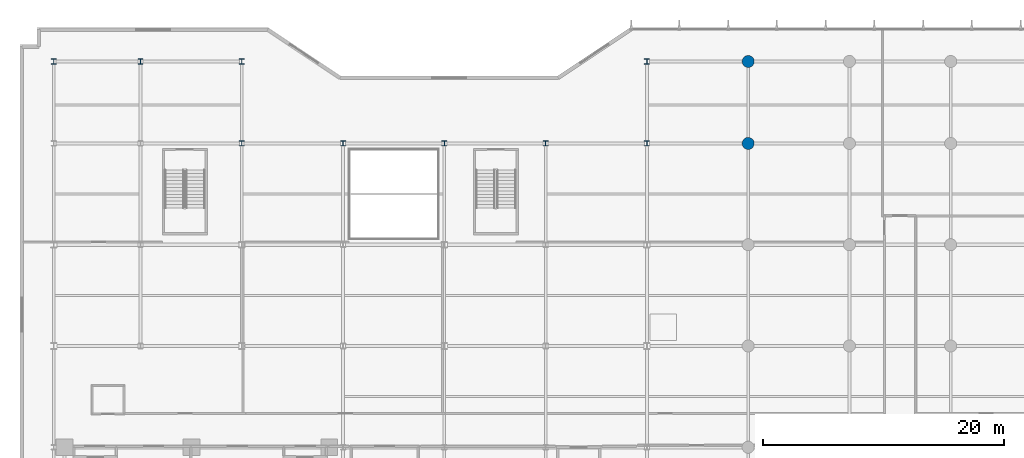
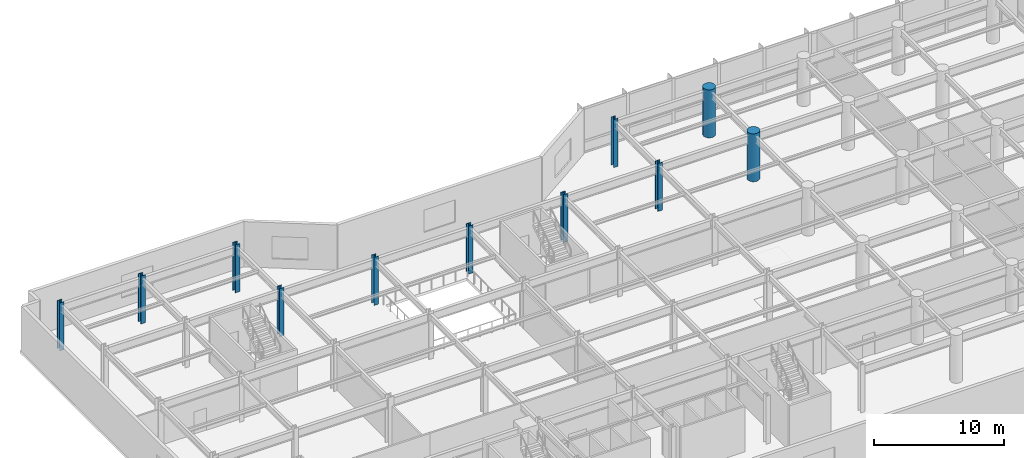
# One storey, part 2 of 26: 11 columns.
"""IFC4 building model written with IfcOpenShell, lengths in metres."""

from ifc_helpers import new_model, si_unit, direction, frame, origin, origin_2d, place, context, subcontext, project, spatial, circle, i_section, extrude, material, material_profile, profile_set, type_object, element, save


model = new_model("IFC4")

# Units and contexts
model_context = context("Model", 3, precision=1e-05, world=origin(), true_north=direction((0.0, 1.0)))
body_context = subcontext(model_context, "Body", "Model", "MODEL_VIEW")
ifc_project = project(units=[si_unit("LENGTHUNIT", "METRE"), si_unit("AREAUNIT", "SQUARE_METRE"), si_unit("VOLUMEUNIT", "CUBIC_METRE"), si_unit("PLANEANGLEUNIT", "RADIAN"), si_unit("MASSUNIT", "GRAM", prefix="KILO")], contexts=[model_context])

# Site, building, storey
site_placement = place(None, origin())
site = spatial("IfcSite", under=ifc_project, at=site_placement, CompositionType="ELEMENT")
building_placement = place(site_placement, origin())
building = spatial("IfcBuilding", under=site, at=building_placement, Name="Varnakote Quay Hospital", CompositionType="ELEMENT")
storey_placement = place(building_placement, frame((0.0, 0.0, 4.5)))
storey = spatial("IfcBuildingStorey", under=building, at=storey_placement, Name="L01", CompositionType="ELEMENT", Elevation=4.5)

# Columns
ifc_material_1 = material(Name="Concrete N65 (f'c 65 MPa)", Category="concrete")
ifc_material_profile_1 = material_profile(ifc_material_1, circle(Radius=0.5, at=origin_2d()), Name="RC-COL-D1000")
ifc_profile_set_1 = profile_set([ifc_material_profile_1], Name="Concrete N65 (f'c 65 MPa)")
column_type_1 = type_object("IfcColumnType", Name="COL-RC-D1000", PredefinedType="COLUMN", material=ifc_profile_set_1)
for number, where, z_axis, x_axis, name in (
    (1, (58.800048828125, 37.199951171875, 0.0), (0.0, 0.0, 1.0), (1.0, 0.0, 0.0), "L01 Structural Column C-59-37"),
    (2, (58.800048828125, 44.0, 0.0), (0.0, 0.0, 1.0), (1.0, 0.0, 0.0), "L01 Structural Column C-59-44"),
):
    element("IfcColumn", number, at=place(storey_placement, frame(where, z_axis=z_axis, x_axis=x_axis)), inside=storey, type_object=column_type_1, Name=name, PredefinedType="COLUMN", context=body_context, shape_type="SweptSolid", body=[
        extrude(circle(Radius=0.5, at=origin_2d()), origin(), (0.0, 0.0, 1.0), 4.5),
    ])
ifc_material_2 = material(Name="Structural steel AS/NZS 3678 Grade 350 (fy 340 MPa)", Category="steel")
ifc_material_profile_2 = material_profile(ifc_material_2, i_section(OverallWidth=0.39990234375, OverallDepth=0.419921875, WebThickness=0.02490234375, FlangeThickness=0.0400390625, at=origin_2d()), Name="400WC328")
ifc_profile_set_2 = profile_set([ifc_material_profile_2], Name="Structural steel AS/NZS 3678 Grade 350 (fy 340 MPa)")
column_type_2 = type_object("IfcColumnType", Name="COL-STL-400WC328", PredefinedType="COLUMN", material=ifc_profile_set_2)
for number, where, z_axis, x_axis, name in (
    (3, (16.800048828125, 37.199951171875, 0.0), (0.0, 0.0, 1.0), (1.0, 0.0, 0.0), "L01 Structural Column C-17-37"),
    (4, (25.199951171875, 37.199951171875, 0.0), (0.0, 0.0, 1.0), (1.0, 0.0, 0.0), "L01 Structural Column C-25-37"),
    (5, (33.60009765625, 37.199951171875, 0.0), (0.0, 0.0, 1.0), (1.0, 0.0, 0.0), "L01 Structural Column C-34-37"),
    (6, (42.0, 37.199951171875, 0.0), (0.0, 0.0, 1.0), (1.0, 0.0, 0.0), "L01 Structural Column C-42-37"),
    (7, (50.39990234375, 37.199951171875, 0.0), (0.0, 0.0, 1.0), (1.0, 0.0, 0.0), "L01 Structural Column C-50-37"),
    (8, (1.199951171875, 44.0, 0.0), (0.0, 0.0, 1.0), (1.0, 0.0, 0.0), "L01 Structural Column C-1-44"),
    (9, (8.39990234375, 44.0, 0.0), (0.0, 0.0, 1.0), (1.0, 0.0, 0.0), "L01 Structural Column C-8-44"),
    (10, (16.800048828125, 44.0, 0.0), (0.0, 0.0, 1.0), (1.0, 0.0, 0.0), "L01 Structural Column C-17-44"),
    (11, (50.39990234375, 44.0, 0.0), (0.0, 0.0, 1.0), (1.0, 0.0, 0.0), "L01 Structural Column C-50-44"),
):
    element("IfcColumn", number, at=place(storey_placement, frame(where, z_axis=z_axis, x_axis=x_axis)), inside=storey, type_object=column_type_2, Name=name, PredefinedType="COLUMN", context=body_context, shape_type="SweptSolid", body=[
        extrude(i_section(OverallWidth=0.39990234375, OverallDepth=0.419921875, WebThickness=0.02490234375, FlangeThickness=0.0400390625, at=origin_2d()), origin(), (0.0, 0.0, 1.0), 4.5),
    ])

save(model, "model.ifc")
